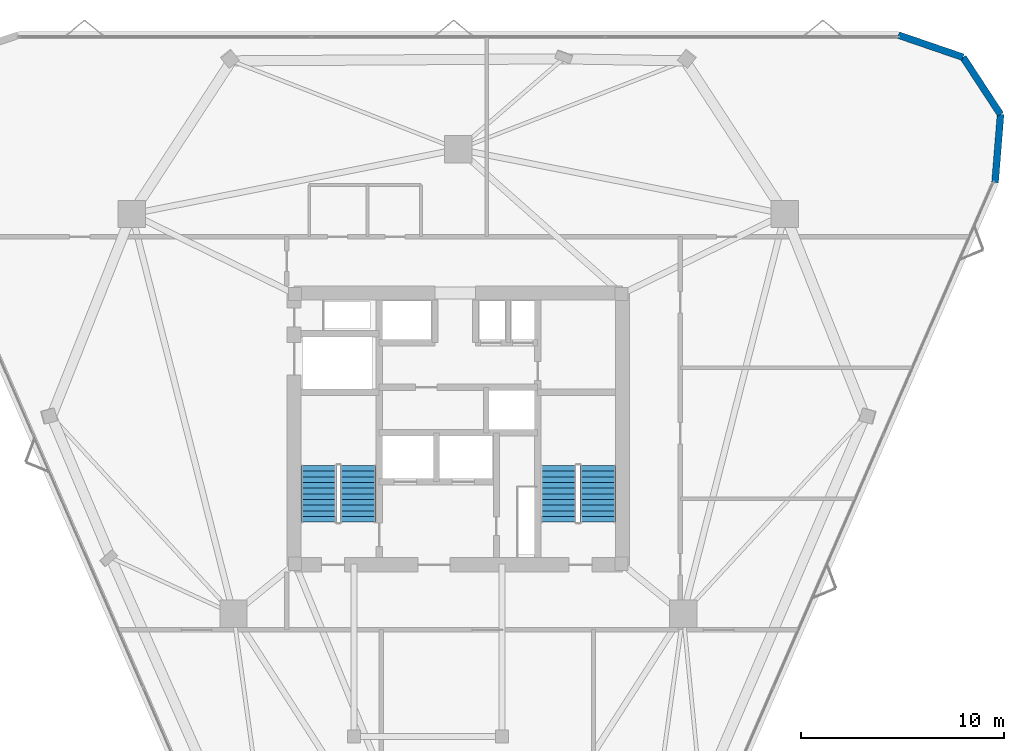
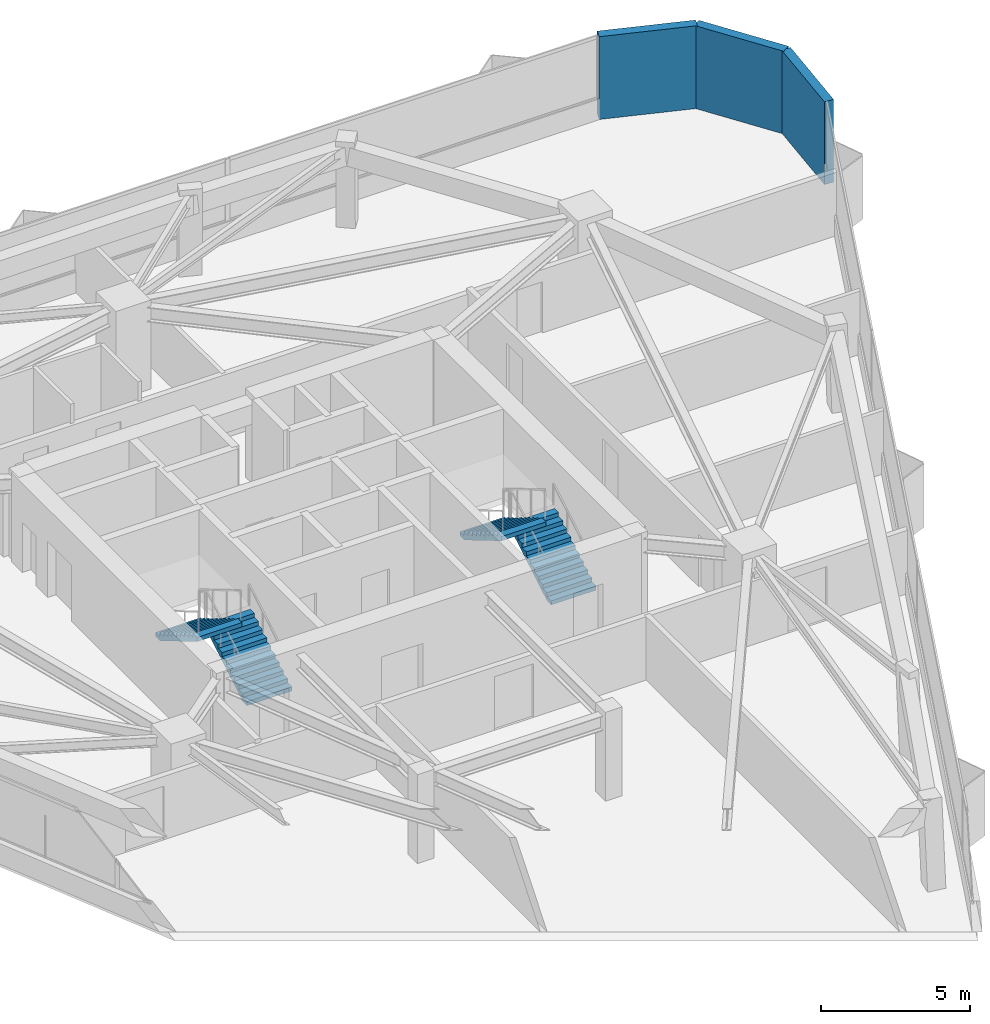
# One storey, part 11 of 12: 4 stair flights, 3 walls, 2 elements without a shape of their own.
"""IFC4 building model written with IfcOpenShell, lengths in metres."""

from ifc_helpers import new_model, si_unit, direction, frame, frame_2d, origin, place, context, subcontext, project, spatial, polyline, rectangle, outline, extrude, material, layer, layer_set, type_object, element, aggregate, save


model = new_model("IFC4")

# Units and contexts
model_context = context("Model", 3, precision=1e-05, world=origin(), true_north=direction((0.0, 1.0)))
body_context = subcontext(model_context, "Body", "Model", "MODEL_VIEW")
ifc_project = project(units=[si_unit("LENGTHUNIT", "METRE"), si_unit("AREAUNIT", "SQUARE_METRE"), si_unit("VOLUMEUNIT", "CUBIC_METRE"), si_unit("PLANEANGLEUNIT", "RADIAN"), si_unit("MASSUNIT", "GRAM", prefix="KILO")], contexts=[model_context])

# Site, building, storey
site_placement = place(None, origin())
site = spatial("IfcSite", under=ifc_project, at=site_placement, CompositionType="ELEMENT")
building_placement = place(site_placement, origin())
building = spatial("IfcBuilding", under=site, at=building_placement, Name="Talyreon Biosciences Tower", CompositionType="ELEMENT")
storey_placement = place(building_placement, frame((0.0, 0.0, 183.050048828125)))
storey = spatial("IfcBuildingStorey", under=building, at=storey_placement, Name="L48", CompositionType="ELEMENT", Elevation=183.050048828125)

# Walls
ifc_material_1 = material(Name="Precast concrete C45/55", Category="concrete")
ifc_layer = layer(ifc_material_1, 0.340087890625)
ifc_layer_set = layer_set([ifc_layer], Name="Precast concrete C45/55")
wall_type = type_object("IfcWallType", Name="PrecastConcreteSpandrelWall_340", PredefinedType="STANDARD", material=ifc_layer_set)
wall_placement = place(storey_placement, frame((87.6962890625, 87.4189453125, 0.0), z_axis=(0.0, 0.0, 1.0), x_axis=(0.945963079191, -0.324274348056, 0.0)))
element("IfcWall", 1, at=wall_placement, inside=storey, type_object=wall_type, Name="L48 Rounded-Corner Concrete Pier 05", PredefinedType="STANDARD", context=body_context, shape_type="SweptSolid", body=[
    extrude(rectangle(XDim=3.3720703125, YDim=0.340087890625, at=frame_2d((1.68603515625, 0.0))), origin(), (0.0, 0.0, 1.0), 3.39990234375),
])
for number, where, z_axis, x_axis, name in (
    (2, (90.88623046875, 86.325439453125, 0.0), (0.0, 0.0, 1.0), (0.548117081497, -0.83640161703, 0.0), "L48 Rounded-Corner Concrete Pier 06"),
    (3, (92.734619140625, 83.5048828125, 0.0), (0.0, 0.0, 1.0), (-0.080217124827, -0.996777413912, 0.0), "L48 Rounded-Corner Concrete Pier 07"),
):
    element("IfcWall", number, at=place(storey_placement, frame(where, z_axis=z_axis, x_axis=x_axis)), inside=storey, type_object=wall_type, Name=name, PredefinedType="STANDARD", context=body_context, shape_type="SweptSolid", body=[
        extrude(rectangle(XDim=3.372314453125, YDim=0.340087890625, at=frame_2d((1.68603515625, 0.0))), origin(), (0.0, 0.0, 1.0), 3.39990234375),
    ])

# Stair, stair flights
ifc_material_2 = material(Name="Concrete C40/50", Category="concrete")
stair_type = type_object("IfcStairType", Name="DoglegEscapeStair_3650", PredefinedType="HALF_TURN_STAIR", material=ifc_material_2)
stair_1_placement = place(storey_placement, origin())
stair_1 = element("IfcStair", 4, at=stair_1_placement, inside=storey, type_object=stair_type, Name="L48 Core Escape Stair 1", PredefinedType="HALF_TURN_STAIR")
stair_flight_type = type_object("IfcStairFlightType", Name="PrecastStairFlight_3650", PredefinedType="STRAIGHT", material=ifc_material_2)
stair_flight_1_placement = place(storey_placement, frame((61.06005859375, 63.39990234375, 0.0), z_axis=(0.0, 0.0, 1.0), x_axis=(0.0, 1.0, 0.0)))
stair_flight_1 = element("IfcStairFlight", 5, at=stair_flight_1_placement, type_object=stair_flight_type, Name="ST-1 flight 1", NumberOfRisers=11, NumberOfTreads=10, PredefinedType="STRAIGHT", RiserHeight=0.165909091, TreadLength=0.28, context=body_context, shape_type="SweptSolid", body=[
    extrude(outline(polyline([(0.0, 0.0), (0.0, 0.166015625), (0.280029296875, 0.166015625), (0.280029296875, 0.331787109375), (0.56005859375, 0.331787109375), (0.56005859375, 0.497802734375), (0.840087890625, 0.497802734375), (0.840087890625, 0.66357421875), (1.1201171875, 0.66357421875), (1.1201171875, 0.82958984375), (1.39990234375, 0.82958984375), (1.39990234375, 0.995361328125), (1.679931640625, 0.995361328125), (1.679931640625, 1.161376953125), (1.9599609375, 1.161376953125), (1.9599609375, 1.327392578125), (2.239990234375, 1.327392578125), (2.239990234375, 1.4931640625), (2.52001953125, 1.4931640625), (2.52001953125, 1.6591796875), (2.800048828125, 1.6591796875), (2.800048828125, 1.824951171875), (2.800048828125, 1.48486328125), (0.2939453125, 0.0), (0.0, 0.0)])), frame((0.0, 0.8701171875, 0.0), z_axis=(0.0, -1.0, 0.0), x_axis=(1.0, 0.0, 0.0)), (0.0, 0.0, 1.0), 1.739990234375),
])
stair_flight_2_placement = place(storey_placement, frame((59.1201171875, 66.199951171875, 1.824951171875), z_axis=(0.0, 0.0, 1.0), x_axis=(0.0, -1.0, 0.0)))
stair_flight_2 = element("IfcStairFlight", 6, at=stair_flight_2_placement, type_object=stair_flight_type, Name="ST-1 flight 2", NumberOfRisers=11, NumberOfTreads=10, PredefinedType="STRAIGHT", RiserHeight=0.165909091, TreadLength=0.28, context=body_context, shape_type="SweptSolid", body=[
    extrude(outline(polyline([(0.0, 0.0), (0.0, 0.166015625), (0.280029296875, 0.166015625), (0.280029296875, 0.331787109375), (0.56005859375, 0.331787109375), (0.56005859375, 0.497802734375), (0.840087890625, 0.497802734375), (0.840087890625, 0.66357421875), (1.1201171875, 0.66357421875), (1.1201171875, 0.82958984375), (1.39990234375, 0.82958984375), (1.39990234375, 0.995361328125), (1.679931640625, 0.995361328125), (1.679931640625, 1.161376953125), (1.9599609375, 1.161376953125), (1.9599609375, 1.327392578125), (2.239990234375, 1.327392578125), (2.239990234375, 1.4931640625), (2.52001953125, 1.4931640625), (2.52001953125, 1.6591796875), (2.800048828125, 1.6591796875), (2.800048828125, 1.824951171875), (2.800048828125, 1.48486328125), (0.2939453125, 0.0), (0.0, 0.0)])), frame((0.0, 0.8701171875, 0.0), z_axis=(0.0, -1.0, 0.0), x_axis=(1.0, 0.0, 0.0)), (0.0, 0.0, 1.0), 1.739990234375),
])
aggregate(stair_1, [stair_flight_1, stair_flight_2])

stair_2_placement = place(storey_placement, origin())
stair_2 = element("IfcStair", 7, at=stair_2_placement, inside=storey, type_object=stair_type, Name="L48 Core Escape Stair 2", PredefinedType="HALF_TURN_STAIR")
stair_flight_3_placement = place(storey_placement, frame((72.8798828125, 63.39990234375, 0.0), z_axis=(0.0, 0.0, 1.0), x_axis=(0.0, 1.0, 0.0)))
stair_flight_3 = element("IfcStairFlight", 8, at=stair_flight_3_placement, type_object=stair_flight_type, Name="ST-2 flight 1", NumberOfRisers=11, NumberOfTreads=10, PredefinedType="STRAIGHT", RiserHeight=0.165909091, TreadLength=0.28, context=body_context, shape_type="SweptSolid", body=[
    extrude(outline(polyline([(0.0, 0.0), (0.0, 0.166015625), (0.280029296875, 0.166015625), (0.280029296875, 0.331787109375), (0.56005859375, 0.331787109375), (0.56005859375, 0.497802734375), (0.840087890625, 0.497802734375), (0.840087890625, 0.66357421875), (1.1201171875, 0.66357421875), (1.1201171875, 0.82958984375), (1.39990234375, 0.82958984375), (1.39990234375, 0.995361328125), (1.679931640625, 0.995361328125), (1.679931640625, 1.161376953125), (1.9599609375, 1.161376953125), (1.9599609375, 1.327392578125), (2.239990234375, 1.327392578125), (2.239990234375, 1.4931640625), (2.52001953125, 1.4931640625), (2.52001953125, 1.6591796875), (2.800048828125, 1.6591796875), (2.800048828125, 1.824951171875), (2.800048828125, 1.48486328125), (0.2939453125, 0.0), (0.0, 0.0)])), frame((0.0, 0.8701171875, 0.0), z_axis=(0.0, -1.0, 0.0), x_axis=(1.0, 0.0, 0.0)), (0.0, 0.0, 1.0), 1.739990234375),
])
stair_flight_4_placement = place(storey_placement, frame((70.93994140625, 66.199951171875, 1.824951171875), z_axis=(0.0, 0.0, 1.0), x_axis=(0.0, -1.0, 0.0)))
stair_flight_4 = element("IfcStairFlight", 9, at=stair_flight_4_placement, type_object=stair_flight_type, Name="ST-2 flight 2", NumberOfRisers=11, NumberOfTreads=10, PredefinedType="STRAIGHT", RiserHeight=0.165909091, TreadLength=0.28, context=body_context, shape_type="SweptSolid", body=[
    extrude(outline(polyline([(0.0, 0.0), (0.0, 0.166015625), (0.280029296875, 0.166015625), (0.280029296875, 0.331787109375), (0.56005859375, 0.331787109375), (0.56005859375, 0.497802734375), (0.840087890625, 0.497802734375), (0.840087890625, 0.66357421875), (1.1201171875, 0.66357421875), (1.1201171875, 0.82958984375), (1.39990234375, 0.82958984375), (1.39990234375, 0.995361328125), (1.679931640625, 0.995361328125), (1.679931640625, 1.161376953125), (1.9599609375, 1.161376953125), (1.9599609375, 1.327392578125), (2.239990234375, 1.327392578125), (2.239990234375, 1.4931640625), (2.52001953125, 1.4931640625), (2.52001953125, 1.6591796875), (2.800048828125, 1.6591796875), (2.800048828125, 1.824951171875), (2.800048828125, 1.48486328125), (0.2939453125, 0.0), (0.0, 0.0)])), frame((0.0, 0.8701171875, 0.0), z_axis=(0.0, -1.0, 0.0), x_axis=(1.0, 0.0, 0.0)), (0.0, 0.0, 1.0), 1.739990234375),
])
aggregate(stair_2, [stair_flight_3, stair_flight_4])

save(model, "model.ifc")
